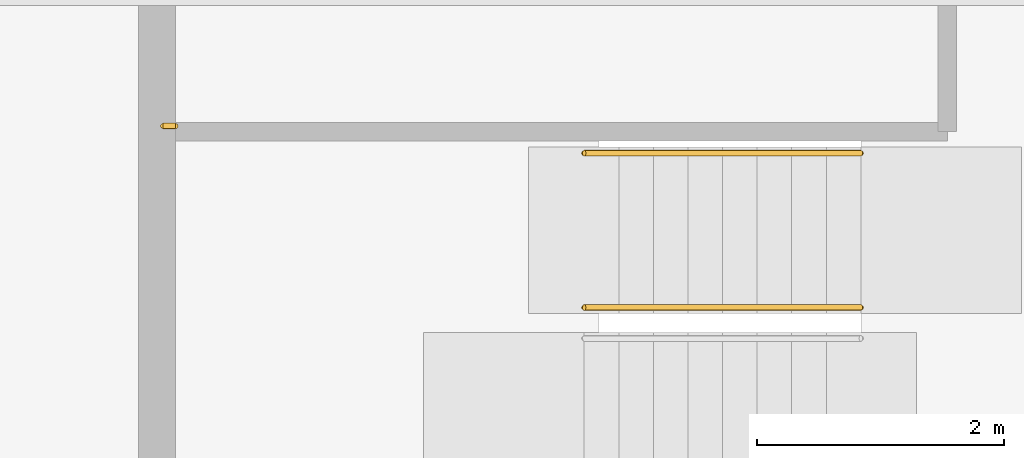
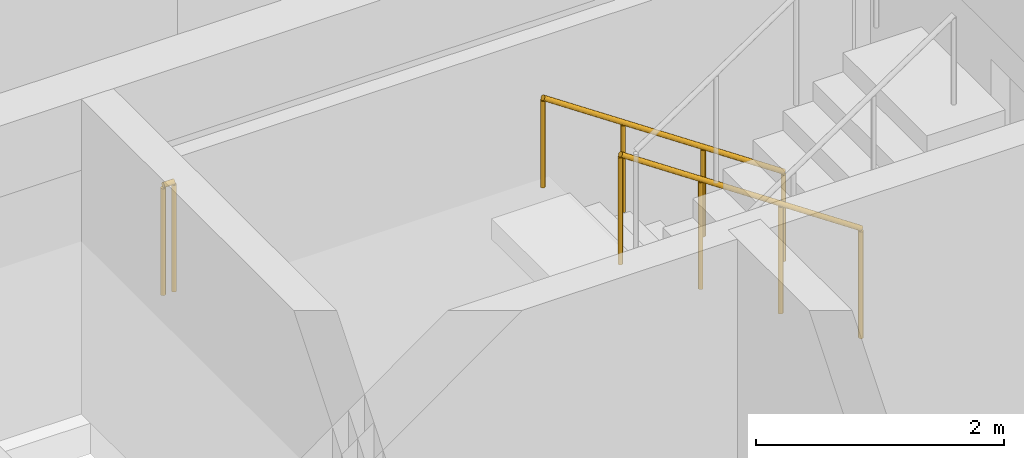
# One storey, part 11 of 12: 3 railings.
"""IFC4 building model written with IfcOpenShell, lengths in metres."""

from ifc_helpers import new_model, si_unit, direction, frame, origin, origin_2d, place, context, subcontext, project, spatial, circle, extrude, material, type_object, element, save


model = new_model("IFC4")

# Units and contexts
model_context = context("Model", 3, precision=1e-05, world=origin(), true_north=direction((0.0, 1.0)))
body_context = subcontext(model_context, "Body", "Model", "MODEL_VIEW")
ifc_project = project(units=[si_unit("LENGTHUNIT", "METRE"), si_unit("AREAUNIT", "SQUARE_METRE"), si_unit("VOLUMEUNIT", "CUBIC_METRE"), si_unit("PLANEANGLEUNIT", "RADIAN"), si_unit("MASSUNIT", "GRAM", prefix="KILO")], contexts=[model_context])

# Site, building, storey
site_placement = place(None, origin())
site = spatial("IfcSite", under=ifc_project, at=site_placement, CompositionType="ELEMENT")
building_placement = place(site_placement, origin())
building = spatial("IfcBuilding", under=site, at=building_placement, Name="Windrow Commons", CompositionType="ELEMENT")
storey_placement = place(building_placement, frame((0.0, 0.0, 274.4)))
storey = spatial("IfcBuildingStorey", under=building, at=storey_placement, Name="L75", CompositionType="ELEMENT", Elevation=274.4)

# Railings
ifc_material_1 = material(Name="Steel S355", Category="steel")
railing_type_1 = type_object("IfcRailingType", Name="Core stair guard 1100", PredefinedType="GUARDRAIL", material=ifc_material_1)
railing_1_placement = place(storey_placement, frame((70.5, 62.355, 0.1889)))
element("IfcRailing", 1, at=railing_1_placement, inside=storey, type_object=railing_type_1, Name="L75 ST-A2 stair guard 1", PredefinedType="GUARDRAIL", context=body_context, shape_type="SweptSolid", body=[
    extrude(circle(Radius=0.024, at=origin_2d()), frame((0.0, 0.0, 1.076), z_axis=(-0.8290030985, 0.0, 0.5592440099), x_axis=(0.0, -1.0, 0.0)), (0.0, 0.0, 1.0), 2.702),
    extrude(circle(Radius=0.021, at=origin_2d()), origin(), (0.0, 0.0, 1.0), 1.052),
    extrude(circle(Radius=0.021, at=origin_2d()), frame((-0.7467, 0.0, 0.5037)), (0.0, 0.0, 1.0), 1.052),
    extrude(circle(Radius=0.021, at=origin_2d()), frame((-1.4933, 0.0, 1.0074)), (0.0, 0.0, 1.0), 1.052),
    extrude(circle(Radius=0.021, at=origin_2d()), frame((-2.24, 0.0, 1.5111)), (0.0, 0.0, 1.0), 1.052),
])
railing_2_placement = place(storey_placement, frame((64.95, 63.825, 1.7)))
element("IfcRailing", 2, at=railing_2_placement, inside=storey, type_object=railing_type_1, Name="L75 ST-A2 stair guard 3", PredefinedType="GUARDRAIL", context=body_context, shape_type="SweptSolid", body=[
    extrude(circle(Radius=0.024, at=origin_2d()), frame((0.0, 0.0, 1.076), z_axis=(-1.0, 0.0, 0.0), x_axis=(0.0, -1.0, 0.0)), (0.0, 0.0, 1.0), 0.1),
    extrude(circle(Radius=0.021, at=origin_2d()), origin(), (0.0, 0.0, 1.0), 1.052),
    extrude(circle(Radius=0.021, at=origin_2d()), frame((-0.1, 0.0, 0.0)), (0.0, 0.0, 1.0), 1.052),
])
ifc_material_2 = material(Name="Steel S355", Category="steel")
railing_type_2 = type_object("IfcRailingType", Name="Core stair handrail 900", PredefinedType="HANDRAIL", material=ifc_material_2)
railing_3_placement = place(storey_placement, frame((70.5, 63.605, 0.1889)))
element("IfcRailing", 3, at=railing_3_placement, inside=storey, type_object=railing_type_2, Name="L75 ST-A2 stair handrail 1", PredefinedType="HANDRAIL", context=body_context, shape_type="SweptSolid", body=[
    extrude(circle(Radius=0.024, at=origin_2d()), frame((0.0, 0.0, 0.876), z_axis=(-0.8290030985, 0.0, 0.5592440099), x_axis=(0.0, -1.0, 0.0)), (0.0, 0.0, 1.0), 2.702),
    extrude(circle(Radius=0.021, at=origin_2d()), origin(), (0.0, 0.0, 1.0), 0.852),
    extrude(circle(Radius=0.021, at=origin_2d()), frame((-0.7467, 0.0, 0.5037)), (0.0, 0.0, 1.0), 0.852),
    extrude(circle(Radius=0.021, at=origin_2d()), frame((-1.4933, 0.0, 1.0074)), (0.0, 0.0, 1.0), 0.852),
    extrude(circle(Radius=0.021, at=origin_2d()), frame((-2.24, 0.0, 1.5111)), (0.0, 0.0, 1.0), 0.852),
])

save(model, "model.ifc")
